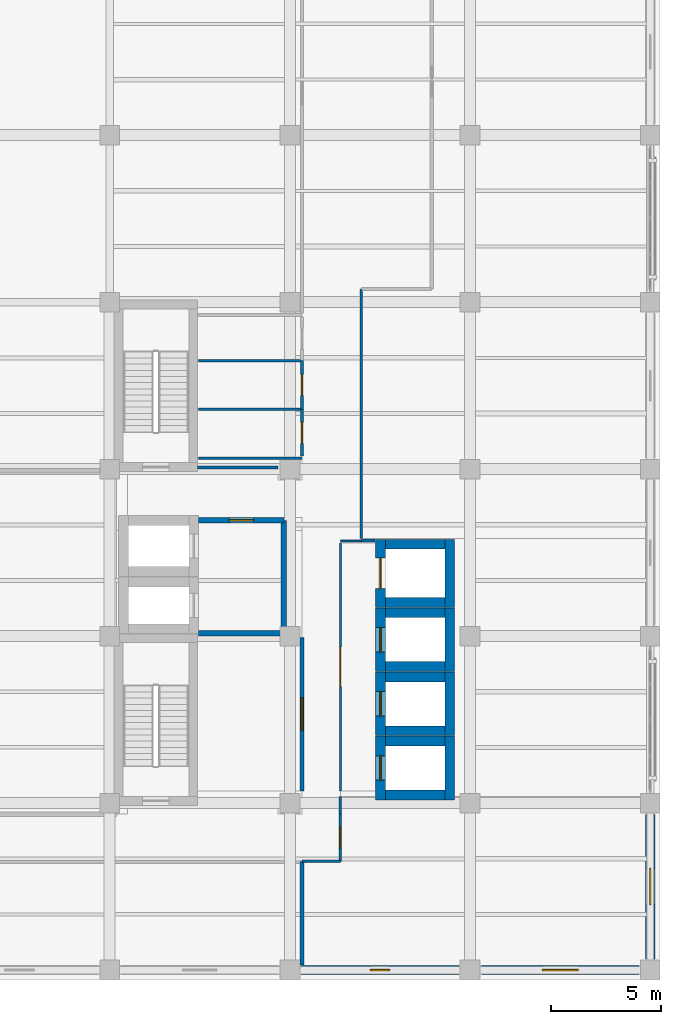
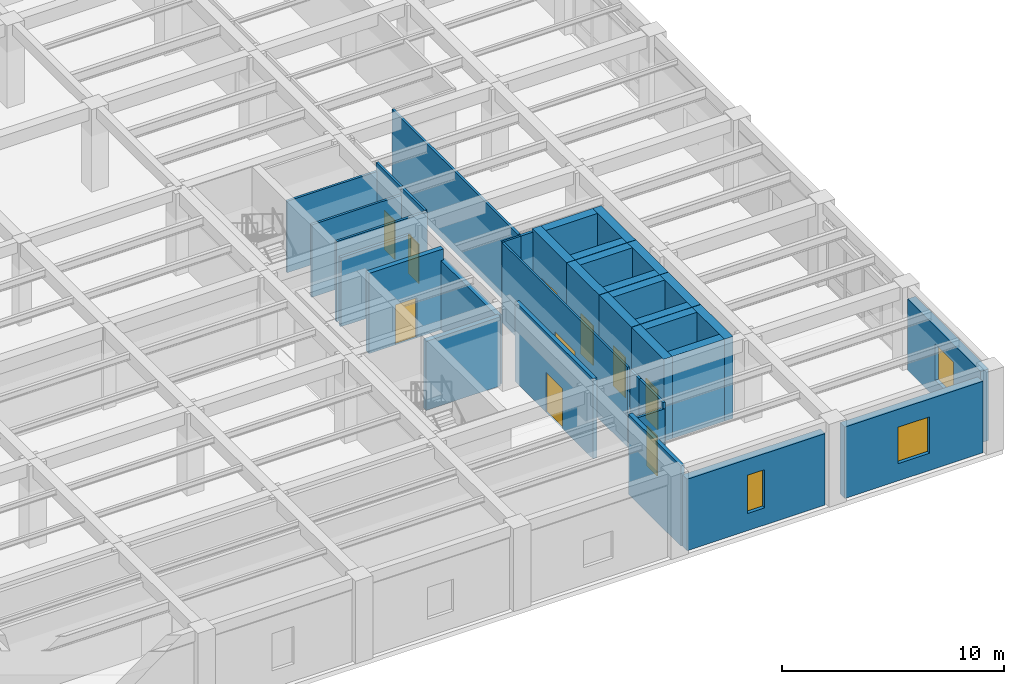
# One storey, part 38 of 49: 37 walls, 10 doors, 3 windows, 13 openings.
"""IFC4 building model written with IfcOpenShell, lengths in metres."""

from ifc_helpers import new_model, si_unit, direction, frame, frame_2d, origin, place, context, subcontext, project, spatial, rectangle, extrude, material, layer, layer_set, type_object, element, fill, save


model = new_model("IFC4")

# Units and contexts
model_context = context("Model", 3, precision=1e-05, world=origin(), true_north=direction((0.0, 1.0)))
body_context = subcontext(model_context, "Body", "Model", "MODEL_VIEW")
ifc_project = project(units=[si_unit("LENGTHUNIT", "METRE"), si_unit("AREAUNIT", "SQUARE_METRE"), si_unit("VOLUMEUNIT", "CUBIC_METRE"), si_unit("PLANEANGLEUNIT", "RADIAN"), si_unit("MASSUNIT", "GRAM", prefix="KILO")], contexts=[model_context])

# Site, building, storey
site_placement = place(None, origin())
site = spatial("IfcSite", under=ifc_project, at=site_placement, CompositionType="ELEMENT")
building_placement = place(site_placement, origin())
building = spatial("IfcBuilding", under=site, at=building_placement, Name="Qandaris Square Conservatory and Botanical Centre", CompositionType="ELEMENT")
storey_placement = place(building_placement, frame((0.0, 0.0, 10.199951171875)))
storey = spatial("IfcBuildingStorey", under=building, at=storey_placement, Name="L02", CompositionType="ELEMENT", Elevation=10.199951171875)

# Walls
ifc_material_1 = material(Name="Gypsum Plasterboard", Category="gypsum")
ifc_layer_1 = layer(ifc_material_1, 0.14990234375)
ifc_layer_set_1 = layer_set([ifc_layer_1], Name="Gypsum Plasterboard")
wall_type_1 = type_object("IfcWallType", Name="Acoustic Laboratory Partition 150mm", PredefinedType="PARTITIONING", material=ifc_layer_set_1)
wall_1_placement = place(storey_placement, frame((150.64990234375, 36.14990234375, 0.0), z_axis=(0.0, 0.0, 1.0), x_axis=(1.0, 0.0, 0.0)))
element("IfcWall", 1, at=wall_1_placement, inside=storey, type_object=wall_type_1, Name="Interior Partition IW-L02-0140", PredefinedType="PARTITIONING", context=body_context, shape_type="SweptSolid", body=[
    extrude(rectangle(XDim=0.6201171875, YDim=0.14990234375, at=frame_2d((0.31005859375, 0.0))), origin(), (0.0, 0.0, 1.0), 4.405029296875),
])
wall_2_placement = place(storey_placement, frame((143.199951171875, 39.47998046875, 0.0), z_axis=(0.0, 0.0, 1.0), x_axis=(1.0, 0.0, 0.0)))
element("IfcWall", 2, at=wall_2_placement, inside=storey, type_object=wall_type_1, Name="Interior Partition IW-L02-0154", PredefinedType="PARTITIONING", context=body_context, shape_type="SweptSolid", body=[
    extrude(rectangle(XDim=3.650146484375, YDim=0.14990234375, at=frame_2d((1.8251953125, 0.0))), origin(), (0.0, 0.0, 1.0), 3.795166015625),
])

# Wall, opening, door
ifc_material_2 = material(Name="Concrete C40/50", Category="concrete")
ifc_layer_2 = layer(ifc_material_2, 0.25)
ifc_layer_set_2 = layer_set([ifc_layer_2], Name="Concrete C40/50")
wall_type_2 = type_object("IfcWallType", Name="Firefighting Lobby Compartment Wall 250mm", PredefinedType="SOLIDWALL", material=ifc_layer_set_2)
wall_3_placement = place(storey_placement, frame((143.25, 37.074951171875, 0.0), z_axis=(0.0, 0.0, 1.0), x_axis=(1.0, 0.0, 0.0)))
wall_3 = element("IfcWall", 3, at=wall_3_placement, inside=storey, type_object=wall_type_2, Name="Firefighting Lobby Wall North (L02)", PredefinedType="SOLIDWALL", context=body_context, shape_type="SweptSolid", body=[
    extrude(rectangle(XDim=3.875, YDim=0.25, at=frame_2d((1.9375, 0.0))), origin(), (0.0, 0.0, 1.0), 4.405029296875),
])
opening_1_placement = place(wall_3_placement, frame((1.387451171875, 0.0, 0.0)))
opening_1 = element("IfcOpeningElement", 4, at=opening_1_placement, cuts=wall_3, Name="Opening D-FFL", PredefinedType="OPENING", context=body_context, shape_type="SweptSolid", body=[
    extrude(rectangle(XDim=1.10009765625, YDim=2.199951171875, at=frame_2d((0.550048828125, 1.10009765625))), frame((0.0, 0.136962890625, 0.0), z_axis=(0.0, -1.0, 0.0), x_axis=(1.0, 0.0, 0.0)), (0.0, 0.0, 1.0), 0.27392578125),
])
ifc_material_3 = material(Name="Steel S355", Category="steel")
door_type_1 = type_object("IfcDoorType", Name="Firefighting Lobby Smoke-Seal Door 1100x2200", OperationType="NOTDEFINED", PredefinedType="DOOR", material=ifc_material_3)
door_1_placement = place(opening_1_placement, origin())
door_1 = element("IfcDoor", 5, at=door_1_placement, inside=storey, type_object=door_type_1, Name="DR-0126 Firefighting Lobby Door (L02)", OperationType="SINGLE_SWING_LEFT", OverallHeight=2.199951171875, OverallWidth=1.10009765625, PredefinedType="DOOR", context=body_context, shape_type="SweptSolid", body=[
    extrude(rectangle(XDim=1.10009765625, YDim=2.199951171875, at=frame_2d((0.550048828125, 1.10009765625))), frame((0.0, 0.02490234375, 0.0), z_axis=(0.0, -1.0, 0.0), x_axis=(1.0, 0.0, 0.0)), (0.0, 0.0, 1.0), 0.050048828125),
])
fill(opening_1, door_1)

# Walls
wall_4_placement = place(storey_placement, frame((143.25, 31.925048828125, 0.0), z_axis=(0.0, 0.0, 1.0), x_axis=(1.0, 0.0, 0.0)))
element("IfcWall", 6, at=wall_4_placement, inside=storey, type_object=wall_type_2, Name="Firefighting Lobby Wall South (L02)", PredefinedType="SOLIDWALL", context=body_context, shape_type="SweptSolid", body=[
    extrude(rectangle(XDim=3.875, YDim=0.25, at=frame_2d((1.9375, 0.0))), origin(), (0.0, 0.0, 1.0), 3.795166015625),
])
wall_5_placement = place(storey_placement, frame((147.125, 31.925048828125, 0.0), z_axis=(0.0, 0.0, 1.0), x_axis=(0.0, 1.0, 0.0)))
element("IfcWall", 7, at=wall_5_placement, inside=storey, type_object=wall_type_2, Name="Firefighting Lobby Wall East (L02)", PredefinedType="SOLIDWALL", context=body_context, shape_type="SweptSolid", body=[
    extrude(rectangle(XDim=5.14990234375, YDim=0.25, at=frame_2d((2.574951171875, 0.0))), origin(), (0.0, 0.0, 1.0), 3.795166015625),
])

# Wall, opening, door
ifc_material_4 = material(Name="Tempered Low-E Glass", Category="glass")
ifc_layer_3 = layer(ifc_material_4, 0.10009765625)
ifc_layer_set_3 = layer_set([ifc_layer_3], Name="Tempered Low-E Glass")
wall_type_3 = type_object("IfcWallType", Name="Framed Acoustic Glazed Gallery Screen 100mm", PredefinedType="PARTITIONING", material=ifc_layer_set_3)
wall_6_placement = place(storey_placement, frame((149.699951171875, 24.75, 0.0), z_axis=(0.0, 0.0, 1.0), x_axis=(0.0, 1.0, 0.0)))
wall_6 = element("IfcWall", 8, at=wall_6_placement, inside=storey, type_object=wall_type_3, Name="Interior Partition IW-L02-0138", PredefinedType="PARTITIONING", context=body_context, shape_type="SweptSolid", body=[
    extrude(rectangle(XDim=11.300048828125, YDim=0.10009765625, at=frame_2d((5.64990234375, 0.0))), origin(), (0.0, 0.0, 1.0), 4.405029296875),
])
opening_2_placement = place(wall_6_placement, frame((4.75, 0.0, 0.0)))
opening_2 = element("IfcOpeningElement", 9, at=opening_2_placement, cuts=wall_6, Name="Opening D-GL1", PredefinedType="OPENING", context=body_context, shape_type="SweptSolid", body=[
    extrude(rectangle(XDim=1.800048828125, YDim=2.39990234375, at=frame_2d((0.89990234375, 1.199951171875))), frame((0.0, 0.06201171875, 0.0), z_axis=(0.0, -1.0, 0.0), x_axis=(1.0, 0.0, 0.0)), (0.0, 0.0, 1.0), 0.1240234375),
])
ifc_material_5 = material(Name="Anodised Aluminium", Category="aluminium")
door_type_2 = type_object("IfcDoorType", Name="Visitor Gallery Glazed Double Door 1800x2400", OperationType="DOUBLE_DOOR_SINGLE_SWING", PredefinedType="DOOR", material=ifc_material_5)
door_2_placement = place(opening_2_placement, frame((1.800048828125, 0.0, 0.0), z_axis=(0.0, 0.0, 1.0), x_axis=(-1.0, 0.0, 0.0)))
door_2 = element("IfcDoor", 10, at=door_2_placement, inside=storey, type_object=door_type_2, Name="DR-0127 Main Circulation Corridor L02 Door", OperationType="DOUBLE_DOOR_SINGLE_SWING", OverallHeight=2.39990234375, OverallWidth=1.800048828125, PredefinedType="DOOR", context=body_context, shape_type="SweptSolid", body=[
    extrude(rectangle(XDim=1.800048828125, YDim=2.39990234375, at=frame_2d((0.89990234375, 1.199951171875))), frame((0.0, 0.02490234375, 0.0), z_axis=(0.0, -1.0, 0.0), x_axis=(1.0, 0.0, 0.0)), (0.0, 0.0, 1.0), 0.050048828125),
])
fill(opening_2, door_2)

# Wall
wall_7_placement = place(storey_placement, frame((149.699951171875, 36.125, 0.0), z_axis=(0.0, 0.0, 1.0), x_axis=(1.0, 0.0, 0.0)))
element("IfcWall", 11, at=wall_7_placement, inside=storey, type_object=wall_type_3, Name="Interior Partition IW-L02-0139", PredefinedType="PARTITIONING", context=body_context, shape_type="SweptSolid", body=[
    extrude(rectangle(XDim=0.949951171875, YDim=0.10009765625, at=frame_2d((0.47509765625, 0.0))), origin(), (0.0, 0.0, 1.0), 4.405029296875),
])

# Wall, opening, door
ifc_layer_4 = layer(ifc_material_2, 0.199951171875)
ifc_layer_set_4 = layer_set([ifc_layer_4], Name="Concrete C40/50")
wall_type_4 = type_object("IfcWallType", Name="Herbarium & Plant Compartment Wall 200mm", PredefinedType="PARTITIONING", material=ifc_layer_set_4)
wall_8_placement = place(storey_placement, frame((147.949951171875, 31.75, 0.0), z_axis=(0.0, 0.0, 1.0), x_axis=(0.0, -1.0, 0.0)))
wall_8 = element("IfcWall", 12, at=wall_8_placement, inside=storey, type_object=wall_type_4, Name="Interior Partition IW-L02-0137", PredefinedType="PARTITIONING", context=body_context, shape_type="SweptSolid", body=[
    extrude(rectangle(XDim=7.0, YDim=0.199951171875, at=frame_2d((3.5, 0.0))), origin(), (0.0, 0.0, 1.0), 4.405029296875),
])
opening_3_placement = place(wall_8_placement, frame((2.75, 0.0, 0.0)))
opening_3 = element("IfcOpeningElement", 13, at=opening_3_placement, cuts=wall_8, Name="Opening D-PLT1", PredefinedType="OPENING", context=body_context, shape_type="SweptSolid", body=[
    extrude(rectangle(XDim=1.5, YDim=2.199951171875, at=frame_2d((0.75, 1.10009765625))), frame((0.0, 0.11181640625, 0.0), z_axis=(0.0, -1.0, 0.0), x_axis=(1.0, 0.0, 0.0)), (0.0, 0.0, 1.0), 0.223876953125),
])
door_type_3 = type_object("IfcDoorType", Name="Plant & Riser Double Fire Door 1500x2200", OperationType="DOUBLE_DOOR_SINGLE_SWING", PredefinedType="DOOR", material=ifc_material_3)
door_3_placement = place(opening_3_placement, origin())
door_3 = element("IfcDoor", 14, at=door_3_placement, inside=storey, type_object=door_type_3, Name="DR-0135 Electrical and Telecom Riser Room L02 Door", OperationType="DOUBLE_DOOR_SINGLE_SWING", OverallHeight=2.199951171875, OverallWidth=1.5, PredefinedType="DOOR", context=body_context, shape_type="SweptSolid", body=[
    extrude(rectangle(XDim=1.5, YDim=2.199951171875, at=frame_2d((0.75, 1.10009765625))), frame((0.0, 0.02490234375, 0.0), z_axis=(0.0, -1.0, 0.0), x_axis=(1.0, 0.0, 0.0)), (0.0, 0.0, 1.0), 0.050048828125),
])
fill(opening_3, door_3)

# Wall
wall_9_placement = place(storey_placement, frame((147.949951171875, 21.550048828125, 0.0), z_axis=(0.0, 0.0, 1.0), x_axis=(0.0, -1.0, 0.0)))
element("IfcWall", 15, at=wall_9_placement, inside=storey, type_object=wall_type_4, Name="Interior Partition IW-L02-0159", PredefinedType="PARTITIONING", context=body_context, shape_type="SweptSolid", body=[
    extrude(rectangle(XDim=4.7099609375, YDim=0.199951171875, at=frame_2d((2.35498046875, 0.0))), origin(), (0.0, 0.0, 1.0), 4.405029296875),
])

# Wall, opening, window
ifc_layer_5 = layer(ifc_material_2, 0.419921875)
ifc_layer_set_5 = layer_set([ifc_layer_5], Name="Concrete C40/50")
wall_type_5 = type_object("IfcWallType", Name="Insulated Qatari Limestone Cavity Wall 420mm", PredefinedType="SOLIDWALL", material=ifc_layer_set_5)
wall_10_placement = place(storey_placement, frame((147.909912109375, 16.60009765625, 0.0), z_axis=(0.0, 0.0, 1.0), x_axis=(1.0, 0.0, 0.0)))
wall_10 = element("IfcWall", 16, at=wall_10_placement, inside=storey, type_object=wall_type_5, Name="Exterior Wall EW-TWR-L02-1-7", PredefinedType="SOLIDWALL", context=body_context, shape_type="SweptSolid", body=[
    extrude(rectangle(XDim=7.18017578125, YDim=0.419921875, at=frame_2d((3.590087890625, 0.0))), origin(), (0.0, 0.0, 1.0), 3.929931640625),
])
opening_4_placement = place(wall_10_placement, frame((3.139892578125, 0.0, 0.949951171875)))
opening_4 = element("IfcOpeningElement", 17, at=opening_4_placement, cuts=wall_10, Name="Opening WN-01", PredefinedType="OPENING", context=body_context, shape_type="SweptSolid", body=[
    extrude(rectangle(XDim=0.89990234375, YDim=2.10009765625, at=frame_2d((0.449951171875, 1.050048828125))), frame((0.0, 0.221923828125, 0.0), z_axis=(0.0, -1.0, 0.0), x_axis=(1.0, 0.0, 0.0)), (0.0, 0.0, 1.0), 0.44384765625),
])
window_type_1 = type_object("IfcWindowType", Name="Deep-Set Solar Slot Window 900x2100", PartitioningType="SINGLE_PANEL", PredefinedType="WINDOW", material=ifc_material_4)
window_1_placement = place(opening_4_placement, origin())
window_1 = element("IfcWindow", 18, at=window_1_placement, inside=storey, type_object=window_type_1, Name="Window EW-TWR-L02-1-7", OverallHeight=2.10009765625, OverallWidth=0.89990234375, PartitioningType="SINGLE_PANEL", PredefinedType="WINDOW", context=body_context, shape_type="SweptSolid", body=[
    extrude(rectangle(XDim=0.89990234375, YDim=2.10009765625, at=frame_2d((0.449951171875, 1.050048828125))), frame((0.0, 0.030029296875, 0.0), z_axis=(0.0, -1.0, 0.0), x_axis=(1.0, 0.0, 0.0)), (0.0, 0.0, 1.0), 0.06005859375),
])
fill(opening_4, window_1)

wall_11_placement = place(storey_placement, frame((156.110107421875, 16.60009765625, 0.0), z_axis=(0.0, 0.0, 1.0), x_axis=(1.0, 0.0, 0.0)))
wall_11 = element("IfcWall", 19, at=wall_11_placement, inside=storey, type_object=wall_type_5, Name="Exterior Wall EW-TWR-L02-1-8", PredefinedType="SOLIDWALL", context=body_context, shape_type="SweptSolid", body=[
    extrude(rectangle(XDim=7.179931640625, YDim=0.419921875, at=frame_2d((3.58984375, 0.0))), origin(), (0.0, 0.0, 1.0), 3.929931640625),
])
opening_5_placement = place(wall_11_placement, frame((2.764892578125, 0.0, 0.949951171875)))
opening_5 = element("IfcOpeningElement", 20, at=opening_5_placement, cuts=wall_11, Name="Opening WN-08", PredefinedType="OPENING", context=body_context, shape_type="SweptSolid", body=[
    extrude(rectangle(XDim=1.64990234375, YDim=2.0, at=frame_2d((0.824951171875, 1.0))), frame((0.0, 0.221923828125, 0.0), z_axis=(0.0, -1.0, 0.0), x_axis=(1.0, 0.0, 0.0)), (0.0, 0.0, 1.0), 0.44384765625),
])
window_type_2 = type_object("IfcWindowType", Name="Seminar Courtyard Window 1650x2000", PartitioningType="DOUBLE_PANEL_VERTICAL", PredefinedType="WINDOW", material=ifc_material_4)
window_2_placement = place(opening_5_placement, origin())
window_2 = element("IfcWindow", 21, at=window_2_placement, inside=storey, type_object=window_type_2, Name="Window EW-TWR-L02-1-8", OverallHeight=2.0, OverallWidth=1.64990234375, PartitioningType="DOUBLE_PANEL_VERTICAL", PredefinedType="WINDOW", context=body_context, shape_type="SweptSolid", body=[
    extrude(rectangle(XDim=1.64990234375, YDim=2.0, at=frame_2d((0.824951171875, 1.0))), frame((0.0, 0.030029296875, 0.0), z_axis=(0.0, -1.0, 0.0), x_axis=(1.0, 0.0, 0.0)), (0.0, 0.0, 1.0), 0.06005859375),
])
fill(opening_5, window_2)

wall_12_placement = place(storey_placement, frame((163.800048828125, 17.110107421875, 0.0), z_axis=(0.0, 0.0, 1.0), x_axis=(0.0, 1.0, 0.0)))
wall_12 = element("IfcWall", 22, at=wall_12_placement, inside=storey, type_object=wall_type_5, Name="Exterior Wall EW-TWR-L02-2-1", PredefinedType="SOLIDWALL", context=body_context, shape_type="SweptSolid", body=[
    extrude(rectangle(XDim=6.579833984375, YDim=0.419921875, at=frame_2d((3.2900390625, 0.0))), origin(), (0.0, 0.0, 1.0), 3.929931640625),
])
opening_6_placement = place(wall_12_placement, frame((2.465087890625, 0.0, 0.949951171875)))
opening_6 = element("IfcOpeningElement", 23, at=opening_6_placement, cuts=wall_12, Name="Opening WN-08", PredefinedType="OPENING", context=body_context, shape_type="SweptSolid", body=[
    extrude(rectangle(XDim=1.64990234375, YDim=2.0, at=frame_2d((0.824951171875, 1.0))), frame((0.0, 0.221923828125, 0.0), z_axis=(0.0, -1.0, 0.0), x_axis=(1.0, 0.0, 0.0)), (0.0, 0.0, 1.0), 0.44384765625),
])
window_3_placement = place(opening_6_placement, origin())
window_3 = element("IfcWindow", 24, at=window_3_placement, inside=storey, type_object=window_type_2, Name="Window EW-TWR-L02-2-1", OverallHeight=2.0, OverallWidth=1.64990234375, PartitioningType="DOUBLE_PANEL_VERTICAL", PredefinedType="WINDOW", context=body_context, shape_type="SweptSolid", body=[
    extrude(rectangle(XDim=1.64990234375, YDim=2.0, at=frame_2d((0.824951171875, 1.0))), frame((0.0, 0.030029296875, 0.0), z_axis=(0.0, -1.0, 0.0), x_axis=(1.0, 0.0, 0.0)), (0.0, 0.0, 1.0), 0.06005859375),
])
fill(opening_6, window_3)

# Walls
ifc_material_6 = material(Name="Concrete C50/60", Category="concrete")
ifc_layer_6 = layer(ifc_material_6, 0.449951171875)
ifc_layer_set_6 = layer_set([ifc_layer_6], Name="Concrete C50/60")
wall_type_6 = type_object("IfcWallType", Name="RC Coupled Core Shear Wall 450mm", PredefinedType="SHEAR", material=ifc_layer_set_6)
for number, where, z_axis, x_axis, name in (
    (25, (151.75, 24.574951171875, 0.0), (0.0, 0.0, 1.0), (1.0, 0.0, 0.0), "Lift PL1 Shaft Wall South (L02)"),
    (26, (151.75, 27.02490234375, 0.0), (0.0, 0.0, 1.0), (1.0, 0.0, 0.0), "Lift PL1 Shaft Wall North (L02)"),
):
    element("IfcWall", number, at=place(storey_placement, frame(where, z_axis=z_axis, x_axis=x_axis)), inside=storey, type_object=wall_type_6, Name=name, PredefinedType="SHEAR", context=body_context, shape_type="SweptSolid", body=[
        extrude(rectangle(XDim=2.699951171875, YDim=0.449951171875, at=frame_2d((1.35009765625, 0.0))), origin(), (0.0, 0.0, 1.0), 4.510009765625),
    ])

# Wall, opening, door
wall_13_placement = place(storey_placement, frame((151.52490234375, 24.35009765625, 0.0), z_axis=(0.0, 0.0, 1.0), x_axis=(0.0, 1.0, 0.0)))
wall_13 = element("IfcWall", 27, at=wall_13_placement, inside=storey, type_object=wall_type_6, Name="Lift PL1 Shaft Wall West (L02)", PredefinedType="SHEAR", context=body_context, shape_type="SweptSolid", body=[
    extrude(rectangle(XDim=2.89990234375, YDim=0.449951171875, at=frame_2d((1.449951171875, 0.0))), origin(), (0.0, 0.0, 1.0), 4.510009765625),
])
opening_7_placement = place(wall_13_placement, frame((0.89990234375, 0.0, 0.0)))
opening_7 = element("IfcOpeningElement", 28, at=opening_7_placement, cuts=wall_13, Name="Opening LD-PAX", PredefinedType="OPENING", context=body_context, shape_type="SweptSolid", body=[
    extrude(rectangle(XDim=1.10009765625, YDim=2.199951171875, at=frame_2d((0.550048828125, 1.10009765625))), frame((0.0, 0.23681640625, 0.0), z_axis=(0.0, -1.0, 0.0), x_axis=(1.0, 0.0, 0.0)), (0.0, 0.0, 1.0), 0.473876953125),
])
door_type_4 = type_object("IfcDoorType", Name="Passenger Lift Sliding Landing Door 1100x2200", OperationType="DOUBLE_DOOR_SLIDING", PredefinedType="DOOR", material=ifc_material_5)
door_4_placement = place(opening_7_placement, origin())
door_4 = element("IfcDoor", 29, at=door_4_placement, inside=storey, type_object=door_type_4, Name="DR-0148 Lift PL1 Landing Door (L02)", OperationType="DOUBLE_DOOR_SLIDING", OverallHeight=2.199951171875, OverallWidth=1.10009765625, PredefinedType="DOOR", context=body_context, shape_type="SweptSolid", body=[
    extrude(rectangle(XDim=1.10009765625, YDim=2.199951171875, at=frame_2d((0.550048828125, 1.10009765625))), frame((0.0, 0.02490234375, 0.0), z_axis=(0.0, -1.0, 0.0), x_axis=(1.0, 0.0, 0.0)), (0.0, 0.0, 1.0), 0.050048828125),
])
fill(opening_7, door_4)

# Walls
wall_14_placement = place(storey_placement, frame((154.675048828125, 24.35009765625, 0.0), z_axis=(0.0, 0.0, 1.0), x_axis=(0.0, 1.0, 0.0)))
element("IfcWall", 30, at=wall_14_placement, inside=storey, type_object=wall_type_6, Name="Lift PL1 Shaft Wall East (L02)", PredefinedType="SHEAR", context=body_context, shape_type="SweptSolid", body=[
    extrude(rectangle(XDim=2.89990234375, YDim=0.449951171875, at=frame_2d((1.449951171875, 0.0))), origin(), (0.0, 0.0, 1.0), 4.510009765625),
])
for number, where, z_axis, x_axis, name in (
    (31, (151.75, 27.4951171875, 0.0), (0.0, 0.0, 1.0), (1.0, 0.0, 0.0), "Lift PL2 Shaft Wall South (L02)"),
    (32, (151.75, 29.945068359375, 0.0), (0.0, 0.0, 1.0), (1.0, 0.0, 0.0), "Lift PL2 Shaft Wall North (L02)"),
):
    element("IfcWall", number, at=place(storey_placement, frame(where, z_axis=z_axis, x_axis=x_axis)), inside=storey, type_object=wall_type_6, Name=name, PredefinedType="SHEAR", context=body_context, shape_type="SweptSolid", body=[
        extrude(rectangle(XDim=2.699951171875, YDim=0.449951171875, at=frame_2d((1.35009765625, 0.0))), origin(), (0.0, 0.0, 1.0), 4.510009765625),
    ])

# Wall, opening, door
wall_15_placement = place(storey_placement, frame((151.52490234375, 27.27001953125, 0.0), z_axis=(0.0, 0.0, 1.0), x_axis=(0.0, 1.0, 0.0)))
wall_15 = element("IfcWall", 33, at=wall_15_placement, inside=storey, type_object=wall_type_6, Name="Lift PL2 Shaft Wall West (L02)", PredefinedType="SHEAR", context=body_context, shape_type="SweptSolid", body=[
    extrude(rectangle(XDim=2.89990234375, YDim=0.449951171875, at=frame_2d((1.449951171875, 0.0))), origin(), (0.0, 0.0, 1.0), 4.510009765625),
])
opening_8_placement = place(wall_15_placement, frame((0.89990234375, 0.0, 0.0)))
opening_8 = element("IfcOpeningElement", 34, at=opening_8_placement, cuts=wall_15, Name="Opening LD-PAX", PredefinedType="OPENING", context=body_context, shape_type="SweptSolid", body=[
    extrude(rectangle(XDim=1.10009765625, YDim=2.199951171875, at=frame_2d((0.550048828125, 1.10009765625))), frame((0.0, 0.23681640625, 0.0), z_axis=(0.0, -1.0, 0.0), x_axis=(1.0, 0.0, 0.0)), (0.0, 0.0, 1.0), 0.473876953125),
])
door_5_placement = place(opening_8_placement, origin())
door_5 = element("IfcDoor", 35, at=door_5_placement, inside=storey, type_object=door_type_4, Name="DR-0149 Lift PL2 Landing Door (L02)", OperationType="DOUBLE_DOOR_SLIDING", OverallHeight=2.199951171875, OverallWidth=1.10009765625, PredefinedType="DOOR", context=body_context, shape_type="SweptSolid", body=[
    extrude(rectangle(XDim=1.10009765625, YDim=2.199951171875, at=frame_2d((0.550048828125, 1.10009765625))), frame((0.0, 0.02490234375, 0.0), z_axis=(0.0, -1.0, 0.0), x_axis=(1.0, 0.0, 0.0)), (0.0, 0.0, 1.0), 0.050048828125),
])
fill(opening_8, door_5)

# Walls
wall_16_placement = place(storey_placement, frame((154.675048828125, 27.27001953125, 0.0), z_axis=(0.0, 0.0, 1.0), x_axis=(0.0, 1.0, 0.0)))
element("IfcWall", 36, at=wall_16_placement, inside=storey, type_object=wall_type_6, Name="Lift PL2 Shaft Wall East (L02)", PredefinedType="SHEAR", context=body_context, shape_type="SweptSolid", body=[
    extrude(rectangle(XDim=2.89990234375, YDim=0.449951171875, at=frame_2d((1.449951171875, 0.0))), origin(), (0.0, 0.0, 1.0), 4.510009765625),
])
for number, where, z_axis, x_axis, name in (
    (37, (151.75, 30.4150390625, 0.0), (0.0, 0.0, 1.0), (1.0, 0.0, 0.0), "Lift PL3 Shaft Wall South (L02)"),
    (38, (151.75, 32.864990234375, 0.0), (0.0, 0.0, 1.0), (1.0, 0.0, 0.0), "Lift PL3 Shaft Wall North (L02)"),
):
    element("IfcWall", number, at=place(storey_placement, frame(where, z_axis=z_axis, x_axis=x_axis)), inside=storey, type_object=wall_type_6, Name=name, PredefinedType="SHEAR", context=body_context, shape_type="SweptSolid", body=[
        extrude(rectangle(XDim=2.699951171875, YDim=0.449951171875, at=frame_2d((1.35009765625, 0.0))), origin(), (0.0, 0.0, 1.0), 4.510009765625),
    ])

# Wall, opening, door
wall_17_placement = place(storey_placement, frame((151.52490234375, 30.18994140625, 0.0), z_axis=(0.0, 0.0, 1.0), x_axis=(0.0, 1.0, 0.0)))
wall_17 = element("IfcWall", 39, at=wall_17_placement, inside=storey, type_object=wall_type_6, Name="Lift PL3 Shaft Wall West (L02)", PredefinedType="SHEAR", context=body_context, shape_type="SweptSolid", body=[
    extrude(rectangle(XDim=2.900146484375, YDim=0.449951171875, at=frame_2d((1.4501953125, 0.0))), origin(), (0.0, 0.0, 1.0), 4.510009765625),
])
opening_9_placement = place(wall_17_placement, frame((0.89990234375, 0.0, 0.0)))
opening_9 = element("IfcOpeningElement", 40, at=opening_9_placement, cuts=wall_17, Name="Opening LD-PAX", PredefinedType="OPENING", context=body_context, shape_type="SweptSolid", body=[
    extrude(rectangle(XDim=1.10009765625, YDim=2.199951171875, at=frame_2d((0.550048828125, 1.10009765625))), frame((0.0, 0.23681640625, 0.0), z_axis=(0.0, -1.0, 0.0), x_axis=(1.0, 0.0, 0.0)), (0.0, 0.0, 1.0), 0.473876953125),
])
door_6_placement = place(opening_9_placement, origin())
door_6 = element("IfcDoor", 41, at=door_6_placement, inside=storey, type_object=door_type_4, Name="DR-0150 Lift PL3 Landing Door (L02)", OperationType="DOUBLE_DOOR_SLIDING", OverallHeight=2.199951171875, OverallWidth=1.10009765625, PredefinedType="DOOR", context=body_context, shape_type="SweptSolid", body=[
    extrude(rectangle(XDim=1.10009765625, YDim=2.199951171875, at=frame_2d((0.550048828125, 1.10009765625))), frame((0.0, 0.02490234375, 0.0), z_axis=(0.0, -1.0, 0.0), x_axis=(1.0, 0.0, 0.0)), (0.0, 0.0, 1.0), 0.050048828125),
])
fill(opening_9, door_6)

# Walls
wall_18_placement = place(storey_placement, frame((154.675048828125, 30.18994140625, 0.0), z_axis=(0.0, 0.0, 1.0), x_axis=(0.0, 1.0, 0.0)))
element("IfcWall", 42, at=wall_18_placement, inside=storey, type_object=wall_type_6, Name="Lift PL3 Shaft Wall East (L02)", PredefinedType="SHEAR", context=body_context, shape_type="SweptSolid", body=[
    extrude(rectangle(XDim=2.900146484375, YDim=0.449951171875, at=frame_2d((1.4501953125, 0.0))), origin(), (0.0, 0.0, 1.0), 4.510009765625),
])
for number, where, z_axis, x_axis, name in (
    (43, (151.75, 33.3349609375, 0.0), (0.0, 0.0, 1.0), (1.0, 0.0, 0.0), "Lift GL1 Shaft Wall South (L02)"),
    (44, (151.75, 35.985107421875, 0.0), (0.0, 0.0, 1.0), (1.0, 0.0, 0.0), "Lift GL1 Shaft Wall North (L02)"),
):
    element("IfcWall", number, at=place(storey_placement, frame(where, z_axis=z_axis, x_axis=x_axis)), inside=storey, type_object=wall_type_6, Name=name, PredefinedType="SHEAR", context=body_context, shape_type="SweptSolid", body=[
        extrude(rectangle(XDim=2.699951171875, YDim=0.449951171875, at=frame_2d((1.35009765625, 0.0))), origin(), (0.0, 0.0, 1.0), 4.510009765625),
    ])

# Wall, opening, door
wall_19_placement = place(storey_placement, frame((151.52490234375, 33.110107421875, 0.0), z_axis=(0.0, 0.0, 1.0), x_axis=(0.0, 1.0, 0.0)))
wall_19 = element("IfcWall", 45, at=wall_19_placement, inside=storey, type_object=wall_type_6, Name="Lift GL1 Shaft Wall West (L02)", PredefinedType="SHEAR", context=body_context, shape_type="SweptSolid", body=[
    extrude(rectangle(XDim=3.099853515625, YDim=0.449951171875, at=frame_2d((1.5498046875, 0.0))), origin(), (0.0, 0.0, 1.0), 4.510009765625),
])
opening_10_placement = place(wall_19_placement, frame((0.85009765625, 0.0, 0.0)))
opening_10 = element("IfcOpeningElement", 46, at=opening_10_placement, cuts=wall_19, Name="Opening LD-GDS", PredefinedType="OPENING", context=body_context, shape_type="SweptSolid", body=[
    extrude(rectangle(XDim=1.39990234375, YDim=2.300048828125, at=frame_2d((0.699951171875, 1.14990234375))), frame((0.0, 0.23681640625, 0.0), z_axis=(0.0, -1.0, 0.0), x_axis=(1.0, 0.0, 0.0)), (0.0, 0.0, 1.0), 0.473876953125),
])
door_type_5 = type_object("IfcDoorType", Name="Goods & Herbarium Lift Sliding Landing Door 1400x2300", OperationType="DOUBLE_DOOR_SLIDING", PredefinedType="DOOR", material=ifc_material_3)
door_7_placement = place(opening_10_placement, origin())
door_7 = element("IfcDoor", 47, at=door_7_placement, inside=storey, type_object=door_type_5, Name="DR-0146 Lift GL1 Landing Door (L02)", OperationType="DOUBLE_DOOR_SLIDING", OverallHeight=2.300048828125, OverallWidth=1.39990234375, PredefinedType="DOOR", context=body_context, shape_type="SweptSolid", body=[
    extrude(rectangle(XDim=1.39990234375, YDim=2.300048828125, at=frame_2d((0.699951171875, 1.14990234375))), frame((0.0, 0.02490234375, 0.0), z_axis=(0.0, -1.0, 0.0), x_axis=(1.0, 0.0, 0.0)), (0.0, 0.0, 1.0), 0.050048828125),
])
fill(opening_10, door_7)

# Walls
wall_20_placement = place(storey_placement, frame((154.675048828125, 33.110107421875, 0.0), z_axis=(0.0, 0.0, 1.0), x_axis=(0.0, 1.0, 0.0)))
element("IfcWall", 48, at=wall_20_placement, inside=storey, type_object=wall_type_6, Name="Lift GL1 Shaft Wall East (L02)", PredefinedType="SHEAR", context=body_context, shape_type="SweptSolid", body=[
    extrude(rectangle(XDim=3.099853515625, YDim=0.449951171875, at=frame_2d((1.5498046875, 0.0))), origin(), (0.0, 0.0, 1.0), 4.510009765625),
])
ifc_layer_7 = layer(ifc_material_1, 0.1201171875)
ifc_layer_set_7 = layer_set([ifc_layer_7], Name="Gypsum Plasterboard")
wall_type_7 = type_object("IfcWallType", Name="Standard Research Partition 120mm", PredefinedType="PARTITIONING", material=ifc_layer_set_7)
wall_21_placement = place(storey_placement, frame((143.22998046875, 39.89990234375, 0.0), z_axis=(0.0, 0.0, 1.0), x_axis=(1.0, 0.0, 0.0)))
element("IfcWall", 49, at=wall_21_placement, inside=storey, type_object=wall_type_7, Name="Sanitary Toilet Partition Wall WCW-L02-SOUTH1", PredefinedType="PARTITIONING", context=body_context, shape_type="SweptSolid", body=[
    extrude(rectangle(XDim=4.719970703125, YDim=0.1201171875, at=frame_2d((2.35986328125, 0.0))), origin(), (0.0, 0.0, 1.0), 4.405029296875),
])
wall_22_placement = place(storey_placement, frame((143.22998046875, 42.1201171875, 0.0), z_axis=(0.0, 0.0, 1.0), x_axis=(1.0, 0.0, 0.0)))
element("IfcWall", 50, at=wall_22_placement, inside=storey, type_object=wall_type_7, Name="Interior Partition IW-L02-0141", PredefinedType="PARTITIONING", context=body_context, shape_type="SweptSolid", body=[
    extrude(rectangle(XDim=4.719970703125, YDim=0.1201171875, at=frame_2d((2.35986328125, 0.0))), origin(), (0.0, 0.0, 1.0), 3.985107421875),
])

# Wall, opening, door
wall_23_placement = place(storey_placement, frame((147.949951171875, 42.1201171875, 0.0), z_axis=(0.0, 0.0, 1.0), x_axis=(0.0, -1.0, 0.0)))
wall_23 = element("IfcWall", 51, at=wall_23_placement, inside=storey, type_object=wall_type_7, Name="Interior Partition IW-L02-0142", PredefinedType="PARTITIONING", context=body_context, shape_type="SweptSolid", body=[
    extrude(rectangle(XDim=2.130126953125, YDim=0.1201171875, at=frame_2d((1.06494140625, 0.0))), origin(), (0.0, 0.0, 1.0), 4.405029296875),
])
opening_11_placement = place(wall_23_placement, frame((0.590087890625, 0.0, 0.0)))
opening_11 = element("IfcOpeningElement", 52, at=opening_11_placement, cuts=wall_23, Name="Opening D-WC1", PredefinedType="OPENING", context=body_context, shape_type="SweptSolid", body=[
    extrude(rectangle(XDim=0.949951171875, YDim=2.14990234375, at=frame_2d((0.47509765625, 1.074951171875))), frame((0.0, 0.072021484375, 0.0), z_axis=(0.0, -1.0, 0.0), x_axis=(1.0, 0.0, 0.0)), (0.0, 0.0, 1.0), 0.14404296875),
])
ifc_material_7 = material(Name="Engineered Oak Timber", Category="wood")
door_type_6 = type_object("IfcDoorType", Name="Accessible Sanitary Room Door 950x2150", OperationType="NOTDEFINED", PredefinedType="DOOR", material=ifc_material_7)
door_8_placement = place(opening_11_placement, origin())
door_8 = element("IfcDoor", 53, at=door_8_placement, inside=storey, type_object=door_type_6, Name="DR-0140 Accessible Toilet L02 Door", OperationType="SINGLE_SWING_RIGHT", OverallHeight=2.14990234375, OverallWidth=0.949951171875, PredefinedType="DOOR", context=body_context, shape_type="SweptSolid", body=[
    extrude(rectangle(XDim=0.949951171875, YDim=2.14990234375, at=frame_2d((0.47509765625, 1.074951171875))), frame((0.0, 0.02490234375, 0.0), z_axis=(0.0, -1.0, 0.0), x_axis=(1.0, 0.0, 0.0)), (0.0, 0.0, 1.0), 0.050048828125),
])
fill(opening_11, door_8)

# Wall
wall_24_placement = place(storey_placement, frame((143.22998046875, 44.340087890625, 0.0), z_axis=(0.0, 0.0, 1.0), x_axis=(1.0, 0.0, 0.0)))
element("IfcWall", 54, at=wall_24_placement, inside=storey, type_object=wall_type_7, Name="Interior Partition IW-L02-0143", PredefinedType="PARTITIONING", context=body_context, shape_type="SweptSolid", body=[
    extrude(rectangle(XDim=4.719970703125, YDim=0.1201171875, at=frame_2d((2.35986328125, 0.0))), origin(), (0.0, 0.0, 1.0), 3.93505859375),
])

# Wall, opening, door
wall_25_placement = place(storey_placement, frame((147.949951171875, 44.340087890625, 0.0), z_axis=(0.0, 0.0, 1.0), x_axis=(0.0, -1.0, 0.0)))
wall_25 = element("IfcWall", 55, at=wall_25_placement, inside=storey, type_object=wall_type_7, Name="Interior Partition IW-L02-0144", PredefinedType="PARTITIONING", context=body_context, shape_type="SweptSolid", body=[
    extrude(rectangle(XDim=2.219970703125, YDim=0.1201171875, at=frame_2d((1.10986328125, 0.0))), origin(), (0.0, 0.0, 1.0), 4.405029296875),
])
opening_12_placement = place(wall_25_placement, frame((0.635009765625, 0.0, 0.0)))
opening_12 = element("IfcOpeningElement", 56, at=opening_12_placement, cuts=wall_25, Name="Opening D-WC1", PredefinedType="OPENING", context=body_context, shape_type="SweptSolid", body=[
    extrude(rectangle(XDim=0.949951171875, YDim=2.14990234375, at=frame_2d((0.47509765625, 1.074951171875))), frame((0.0, 0.072021484375, 0.0), z_axis=(0.0, -1.0, 0.0), x_axis=(1.0, 0.0, 0.0)), (0.0, 0.0, 1.0), 0.14404296875),
])
door_9_placement = place(opening_12_placement, origin())
door_9 = element("IfcDoor", 57, at=door_9_placement, inside=storey, type_object=door_type_6, Name="DR-0141 Staff Male Toilet L02 Door", OperationType="SINGLE_SWING_LEFT", OverallHeight=2.14990234375, OverallWidth=0.949951171875, PredefinedType="DOOR", context=body_context, shape_type="SweptSolid", body=[
    extrude(rectangle(XDim=0.949951171875, YDim=2.14990234375, at=frame_2d((0.47509765625, 1.074951171875))), frame((0.0, 0.02490234375, 0.0), z_axis=(0.0, -1.0, 0.0), x_axis=(1.0, 0.0, 0.0)), (0.0, 0.0, 1.0), 0.050048828125),
])
fill(opening_12, door_9)

# Wall
wall_26_placement = place(storey_placement, frame((149.699951171875, 24.5, 0.0), z_axis=(0.0, 0.0, 1.0), x_axis=(0.0, -1.0, 0.0)))
element("IfcWall", 58, at=wall_26_placement, inside=storey, type_object=wall_type_7, Name="Interior Partition IW-L02-0148", PredefinedType="PARTITIONING", context=body_context, shape_type="SweptSolid", body=[
    extrude(rectangle(XDim=0.800048828125, YDim=0.1201171875, at=frame_2d((0.39990234375, 0.0))), origin(), (0.0, 0.0, 1.0), 4.405029296875),
])

# Wall, opening, door
wall_27_placement = place(storey_placement, frame((149.699951171875, 23.699951171875, 0.0), z_axis=(0.0, 0.0, 1.0), x_axis=(0.0, -1.0, 0.0)))
wall_27 = element("IfcWall", 59, at=wall_27_placement, inside=storey, type_object=wall_type_7, Name="Interior Partition IW-L02-0149", PredefinedType="PARTITIONING", context=body_context, shape_type="SweptSolid", body=[
    extrude(rectangle(XDim=2.14990234375, YDim=0.1201171875, at=frame_2d((1.074951171875, 0.0))), origin(), (0.0, 0.0, 1.0), 4.405029296875),
])
opening_13_placement = place(wall_27_placement, frame((0.60009765625, 0.0, 0.0)))
opening_13 = element("IfcOpeningElement", 60, at=opening_13_placement, cuts=wall_27, Name="Opening D-OFF1", PredefinedType="OPENING", context=body_context, shape_type="SweptSolid", body=[
    extrude(rectangle(XDim=0.949951171875, YDim=2.199951171875, at=frame_2d((0.47509765625, 1.10009765625))), frame((0.0, 0.072021484375, 0.0), z_axis=(0.0, -1.0, 0.0), x_axis=(1.0, 0.0, 0.0)), (0.0, 0.0, 1.0), 0.14404296875),
])
door_type_7 = type_object("IfcDoorType", Name="Research Office Acoustic Door 950x2200", OperationType="NOTDEFINED", PredefinedType="DOOR", material=ifc_material_7)
door_10_placement = place(opening_13_placement, origin())
door_10 = element("IfcDoor", 61, at=door_10_placement, inside=storey, type_object=door_type_7, Name="DR-0133 Herbarium Curation Office Suite Door", OperationType="SINGLE_SWING_LEFT", OverallHeight=2.199951171875, OverallWidth=0.949951171875, PredefinedType="DOOR", context=body_context, shape_type="SweptSolid", body=[
    extrude(rectangle(XDim=0.949951171875, YDim=2.199951171875, at=frame_2d((0.47509765625, 1.10009765625))), frame((0.0, 0.02490234375, 0.0), z_axis=(0.0, -1.0, 0.0), x_axis=(1.0, 0.0, 0.0)), (0.0, 0.0, 1.0), 0.050048828125),
])
fill(opening_13, door_10)

# Walls
wall_28_placement = place(storey_placement, frame((149.699951171875, 21.550048828125, 0.0), z_axis=(0.0, 0.0, 1.0), x_axis=(-1.0, 0.0, 0.0)))
element("IfcWall", 62, at=wall_28_placement, inside=storey, type_object=wall_type_7, Name="Interior Partition IW-L02-0150", PredefinedType="PARTITIONING", context=body_context, shape_type="SweptSolid", body=[
    extrude(rectangle(XDim=1.75, YDim=0.1201171875, at=frame_2d((0.875, 0.0))), origin(), (0.0, 0.0, 1.0), 4.0849609375),
])
wall_29_placement = place(storey_placement, frame((150.64990234375, 47.60009765625, 0.0), z_axis=(0.0, 0.0, 1.0), x_axis=(0.0, -1.0, 0.0)))
element("IfcWall", 63, at=wall_29_placement, inside=storey, type_object=wall_type_7, Name="Interior Partition IW-L02-0153", PredefinedType="PARTITIONING", context=body_context, shape_type="SweptSolid", body=[
    extrude(rectangle(XDim=11.35009765625, YDim=0.1201171875, at=frame_2d((5.675048828125, 0.0))), origin(), (0.0, 0.0, 1.0), 4.405029296875),
])

save(model, "model.ifc")
